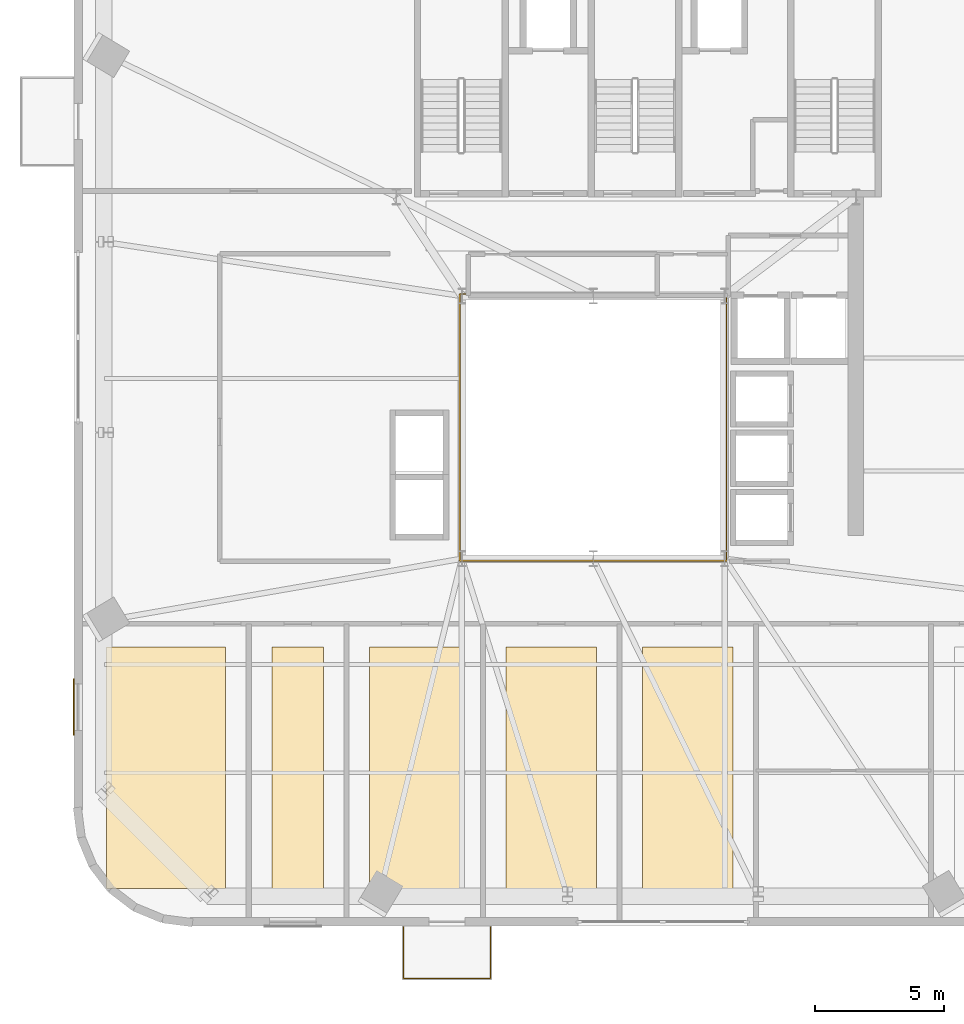
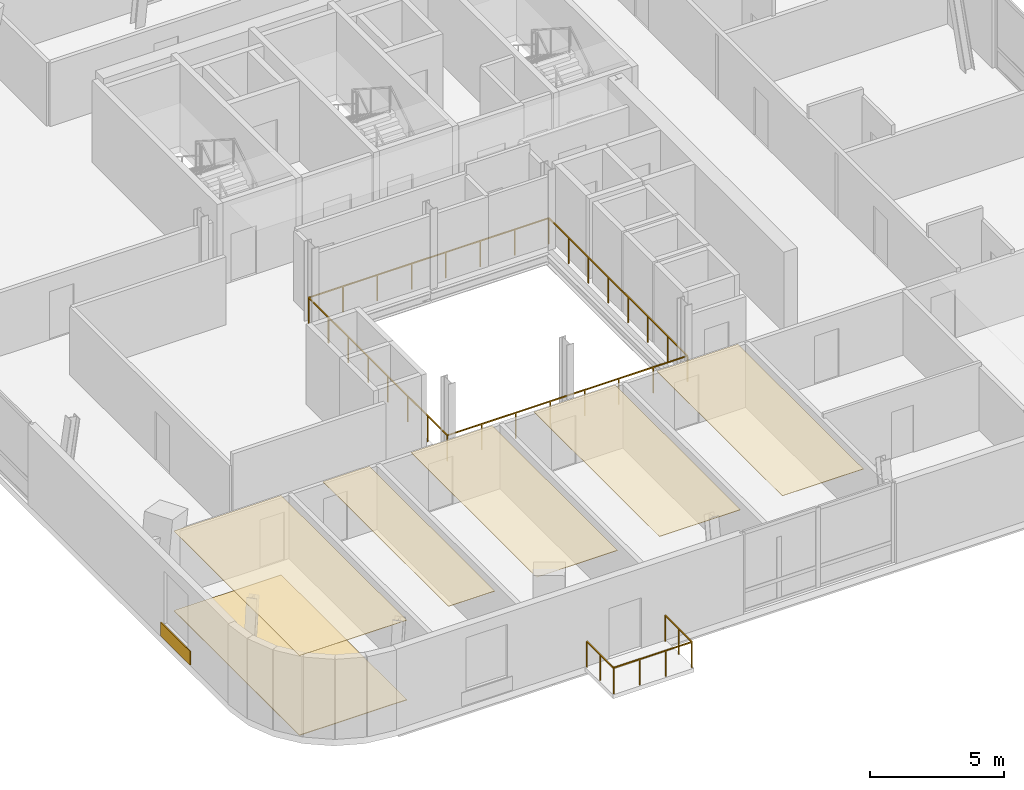
# One storey, part 12 of 15: 7 coverings, 2 railings.
"""IFC4 building model written with IfcOpenShell, lengths in metres."""

from ifc_helpers import new_model, si_unit, direction, frame, origin, origin_2d, place, context, subcontext, project, spatial, polyline, rectangle, outline, extrude, source, transform, mapped, material, layer, layer_set, type_object, element, save


model = new_model("IFC4")

# Units and contexts
model_context = context("Model", 3, precision=1e-05, world=origin(), true_north=direction((0.0, 1.0)))
body_context = subcontext(model_context, "Body", "Model", "MODEL_VIEW")
ifc_project = project(units=[si_unit("LENGTHUNIT", "METRE"), si_unit("AREAUNIT", "SQUARE_METRE"), si_unit("VOLUMEUNIT", "CUBIC_METRE"), si_unit("PLANEANGLEUNIT", "RADIAN"), si_unit("MASSUNIT", "GRAM", prefix="KILO")], contexts=[model_context])

# Site, building, storey
site_placement = place(None, origin())
site = spatial("IfcSite", under=ifc_project, at=site_placement, CompositionType="ELEMENT")
building_placement = place(site_placement, origin())
building = spatial("IfcBuilding", under=site, at=building_placement, Name="Vardaveli Station Tower", CompositionType="ELEMENT")
storey_placement = place(building_placement, frame((0.0, 0.0, 258.5)))
storey = spatial("IfcBuildingStorey", under=building, at=storey_placement, Name="L66", CompositionType="ELEMENT", Elevation=258.5)

# Coverings
ifc_material_1 = material(Name="Perforated acoustic mineral ceiling")
ifc_layer_1 = layer(ifc_material_1, 0.02001953125, Name="Perforated acoustic mineral ceiling")
ifc_layer_set_1 = layer_set([ifc_layer_1], Name="Perforated acoustic mineral ceiling")
covering_type_1 = type_object("IfcCoveringType", Name="COV-CEIL-AC20", PredefinedType="CEILING", material=ifc_layer_set_1)
covering_1_placement = place(storey_placement, frame((0.0, 0.0, 3.635009765625)))
element("IfcCovering", 1, at=covering_1_placement, inside=storey, type_object=covering_type_1, Name="CEIL-L66-1", PredefinedType="CEILING", context=body_context, shape_type="SweptSolid", body=[
    extrude(outline(polyline([(17.389892578125, 3.7900390625), (22.021484375, 3.7900390625), (22.021484375, 13.169921875), (17.389892578125, 13.169921875), (17.389892578125, 3.7900390625)])), origin(), (0.0, 0.0, 1.0), 0.02001953125),
])
covering_2_placement = place(storey_placement, frame((0.0, 0.0, 3.635009765625)))
element("IfcCovering", 2, at=covering_2_placement, inside=storey, type_object=covering_type_1, Name="CEIL-L66-2", PredefinedType="CEILING", context=body_context, shape_type="SweptSolid", body=[
    extrude(outline(polyline([(23.8212890625, 3.7900390625), (25.821044921875, 3.7900390625), (25.821044921875, 13.169921875), (23.8212890625, 13.169921875), (23.8212890625, 3.7900390625)])), origin(), (0.0, 0.0, 1.0), 0.02001953125),
])
covering_3_placement = place(storey_placement, frame((0.0, 0.0, 3.635009765625)))
element("IfcCovering", 3, at=covering_3_placement, inside=storey, type_object=covering_type_1, Name="CEIL-L66-3", PredefinedType="CEILING", context=body_context, shape_type="SweptSolid", body=[
    extrude(outline(polyline([(27.62109375, 3.7900390625), (31.120849609375, 3.7900390625), (31.120849609375, 13.169921875), (27.62109375, 13.169921875), (27.62109375, 3.7900390625)])), origin(), (0.0, 0.0, 1.0), 0.02001953125),
])
covering_4_placement = place(storey_placement, frame((0.0, 0.0, 3.635009765625)))
element("IfcCovering", 4, at=covering_4_placement, inside=storey, type_object=covering_type_1, Name="CEIL-L66-4", PredefinedType="CEILING", context=body_context, shape_type="SweptSolid", body=[
    extrude(outline(polyline([(32.9208984375, 3.7900390625), (36.420654296875, 3.7900390625), (36.420654296875, 13.169921875), (32.9208984375, 13.169921875), (32.9208984375, 3.7900390625)])), origin(), (0.0, 0.0, 1.0), 0.02001953125),
])
covering_5_placement = place(storey_placement, frame((0.0, 0.0, 3.635009765625)))
element("IfcCovering", 5, at=covering_5_placement, inside=storey, type_object=covering_type_1, Name="CEIL-L66-5", PredefinedType="CEILING", context=body_context, shape_type="SweptSolid", body=[
    extrude(outline(polyline([(38.220703125, 3.7900390625), (41.72021484375, 3.7900390625), (41.72021484375, 13.169921875), (38.220703125, 13.169921875), (38.220703125, 3.7900390625)])), origin(), (0.0, 0.0, 1.0), 0.02001953125),
])
ifc_material_2 = material(Name="Honed Caucasian basalt and travertine flooring", Category="masonry")
ifc_layer_2 = layer(ifc_material_2, 0.030029296875, Name="Honed Caucasian basalt and travertine flooring")
ifc_layer_set_2 = layer_set([ifc_layer_2], Name="Honed Caucasian basalt and travertine flooring")
covering_type_2 = type_object("IfcCoveringType", Name="COV-FLOOR-ST30", PredefinedType="FLOORING", material=ifc_layer_set_2)
covering_6_placement = place(storey_placement, origin())
element("IfcCovering", 6, at=covering_6_placement, inside=storey, type_object=covering_type_2, Name="FLR-L66-1", PredefinedType="FLOORING", context=body_context, shape_type="SweptSolid", body=[
    extrude(outline(polyline([(17.389892578125, 3.7900390625), (22.021484375, 3.7900390625), (22.021484375, 13.169921875), (17.389892578125, 13.169921875), (17.389892578125, 3.7900390625)])), origin(), (0.0, 0.0, 1.0), 0.030029296875),
])
ifc_material_3 = material(Name="Ventilated honed travertine stone cladding", Category="masonry")
ifc_layer_3 = layer(ifc_material_3, 0.044921875, Name="Ventilated honed travertine stone cladding")
ifc_layer_set_3 = layer_set([ifc_layer_3], Name="Ventilated honed travertine stone cladding")
covering_type_3 = type_object("IfcCoveringType", Name="COV-CLAD-TR45", PredefinedType="CLADDING", material=ifc_layer_set_3)
shared_shape_1 = source(origin(), body_context, "Body", "SweptSolid", [
    extrude(rectangle(XDim=2.199951171875, YDim=0.044921875, at=origin_2d()), origin(), (0.0, 0.0, 1.0), 0.6201171875),
])
covering_7_placement = place(storey_placement, frame((16.12548828125, 10.8369140625, 0.06982421875), z_axis=(0.0, 0.0, 1.0), x_axis=(0.0, 1.0, 0.0)))
element("IfcCovering", 7, at=covering_7_placement, inside=storey, type_object=covering_type_3, Name="CLD-TR-L66-W", PredefinedType="CLADDING", context=body_context, shape_type="MappedRepresentation", body=[
    mapped(shared_shape_1, transform((0.0, 0.0, 0.0), scale=1.0)),
])

# Railings
ifc_material_4 = material(Name="Laminated glass and stainless steel balustrade", Category="steel")
railing_type = type_object("IfcRailingType", Name="RL-BAL-1200", PredefinedType="BALUSTRADE", material=ifc_material_4)
shared_shape_2 = source(origin(), body_context, "Body", "SweptSolid", [
    extrude(rectangle(XDim=0.048095703125, YDim=0.048095703125, at=origin_2d()), frame((0.0, 0.0, 1.17578125), z_axis=(0.0, -1.0, 0.0), x_axis=(1.0, 0.0, 0.0)), (0.0, 0.0, 1.0), 2.0),
    extrude(rectangle(XDim=0.048095703125, YDim=0.048095703125, at=origin_2d()), frame((0.0, -2.0, 1.17578125), z_axis=(1.0, 0.0, 0.0), x_axis=(0.0, 1.0, 0.0)), (0.0, 0.0, 1.0), 3.380126953125),
    extrude(rectangle(XDim=0.048095703125, YDim=0.048095703125, at=origin_2d()), frame((3.380126953125, -2.0, 1.17578125), z_axis=(0.0, 1.0, 0.0), x_axis=(-1.0, 0.0, 0.0)), (0.0, 0.0, 1.0), 2.0),
    extrude(rectangle(XDim=0.0419921875, YDim=0.0419921875, at=origin_2d()), origin(), (0.0, 0.0, 1.0), 1.15185546875),
    extrude(rectangle(XDim=0.0419921875, YDim=0.0419921875, at=origin_2d()), frame((0.0, -1.0, 0.0)), (0.0, 0.0, 1.0), 1.15185546875),
    extrude(rectangle(XDim=0.0419921875, YDim=0.0419921875, at=origin_2d()), frame((0.0, -2.0, 0.0)), (0.0, 0.0, 1.0), 1.15185546875),
    extrude(rectangle(XDim=0.0419921875, YDim=0.0419921875, at=origin_2d()), frame((1.126708984375, -2.0, 0.0)), (0.0, 0.0, 1.0), 1.15185546875),
    extrude(rectangle(XDim=0.0419921875, YDim=0.0419921875, at=origin_2d()), frame((2.25341796875, -2.0, 0.0)), (0.0, 0.0, 1.0), 1.15185546875),
    extrude(rectangle(XDim=0.0419921875, YDim=0.0419921875, at=origin_2d()), frame((3.380126953125, -2.0, 0.0)), (0.0, 0.0, 1.0), 1.15185546875),
    extrude(rectangle(XDim=0.0419921875, YDim=0.0419921875, at=origin_2d()), frame((3.380126953125, -1.0, 0.0)), (0.0, 0.0, 1.0), 1.15185546875),
    extrude(rectangle(XDim=0.0419921875, YDim=0.0419921875, at=origin_2d()), frame((3.380126953125, 0.0, 0.0)), (0.0, 0.0, 1.0), 1.15185546875),
])
railing_1_placement = place(storey_placement, frame((28.927734375, 2.300048828125, 0.0)))
element("IfcRailing", 8, at=railing_1_placement, inside=storey, type_object=railing_type, Name="RL-LOG-L66-01", PredefinedType="BALUSTRADE", context=body_context, shape_type="MappedRepresentation", body=[
    mapped(shared_shape_2, transform((0.0, 0.0, 0.0), scale=1.0)),
])
shared_shape_3 = source(origin(), body_context, "Body", "SweptSolid", [
    extrude(rectangle(XDim=0.048095703125, YDim=0.048095703125, at=origin_2d()), frame((0.0, 0.0, 1.17578125), z_axis=(1.0, 0.0, 0.0), x_axis=(0.0, 1.0, 0.0)), (0.0, 0.0, 1.0), 10.35986328125),
    extrude(rectangle(XDim=0.048095703125, YDim=0.048095703125, at=origin_2d()), frame((10.35986328125, 0.0, 1.17578125), z_axis=(0.0, 1.0, 0.0), x_axis=(-1.0, 0.0, 0.0)), (0.0, 0.0, 1.0), 10.35986328125),
    extrude(rectangle(XDim=0.048095703125, YDim=0.048095703125, at=origin_2d()), frame((10.35986328125, 10.35986328125, 1.17578125), z_axis=(-1.0, 0.0, 0.0), x_axis=(0.0, -1.0, 0.0)), (0.0, 0.0, 1.0), 10.35986328125),
    extrude(rectangle(XDim=0.048095703125, YDim=0.048095703125, at=origin_2d()), frame((0.0, 10.35986328125, 1.17578125), z_axis=(0.0, -1.0, 0.0), x_axis=(1.0, 0.0, 0.0)), (0.0, 0.0, 1.0), 10.35986328125),
    extrude(rectangle(XDim=0.0419921875, YDim=0.0419921875, at=origin_2d()), origin(), (0.0, 0.0, 1.0), 1.15185546875),
    extrude(rectangle(XDim=0.0419921875, YDim=0.0419921875, at=origin_2d()), frame((1.47998046875, 0.0, 0.0)), (0.0, 0.0, 1.0), 1.15185546875),
    extrude(rectangle(XDim=0.0419921875, YDim=0.0419921875, at=origin_2d()), frame((2.9599609375, 0.0, 0.0)), (0.0, 0.0, 1.0), 1.15185546875),
    extrude(rectangle(XDim=0.0419921875, YDim=0.0419921875, at=origin_2d()), frame((4.43994140625, 0.0, 0.0)), (0.0, 0.0, 1.0), 1.15185546875),
    extrude(rectangle(XDim=0.0419921875, YDim=0.0419921875, at=origin_2d()), frame((5.919921875, 0.0, 0.0)), (0.0, 0.0, 1.0), 1.15185546875),
    extrude(rectangle(XDim=0.0419921875, YDim=0.0419921875, at=origin_2d()), frame((7.39990234375, 0.0, 0.0)), (0.0, 0.0, 1.0), 1.15185546875),
    extrude(rectangle(XDim=0.0419921875, YDim=0.0419921875, at=origin_2d()), frame((8.8798828125, 0.0, 0.0)), (0.0, 0.0, 1.0), 1.15185546875),
    extrude(rectangle(XDim=0.0419921875, YDim=0.0419921875, at=origin_2d()), frame((10.35986328125, 0.0, 0.0)), (0.0, 0.0, 1.0), 1.15185546875),
    extrude(rectangle(XDim=0.0419921875, YDim=0.0419921875, at=origin_2d()), frame((10.35986328125, 1.47998046875, 0.0)), (0.0, 0.0, 1.0), 1.15185546875),
    extrude(rectangle(XDim=0.0419921875, YDim=0.0419921875, at=origin_2d()), frame((10.35986328125, 2.9599609375, 0.0)), (0.0, 0.0, 1.0), 1.15185546875),
    extrude(rectangle(XDim=0.0419921875, YDim=0.0419921875, at=origin_2d()), frame((10.35986328125, 4.43994140625, 0.0)), (0.0, 0.0, 1.0), 1.15185546875),
    extrude(rectangle(XDim=0.0419921875, YDim=0.0419921875, at=origin_2d()), frame((10.35986328125, 5.919921875, 0.0)), (0.0, 0.0, 1.0), 1.15185546875),
    extrude(rectangle(XDim=0.0419921875, YDim=0.0419921875, at=origin_2d()), frame((10.35986328125, 7.39990234375, 0.0)), (0.0, 0.0, 1.0), 1.15185546875),
    extrude(rectangle(XDim=0.0419921875, YDim=0.0419921875, at=origin_2d()), frame((10.35986328125, 8.8798828125, 0.0)), (0.0, 0.0, 1.0), 1.15185546875),
    extrude(rectangle(XDim=0.0419921875, YDim=0.0419921875, at=origin_2d()), frame((10.35986328125, 10.35986328125, 0.0)), (0.0, 0.0, 1.0), 1.15185546875),
    extrude(rectangle(XDim=0.0419921875, YDim=0.0419921875, at=origin_2d()), frame((8.8798828125, 10.35986328125, 0.0)), (0.0, 0.0, 1.0), 1.15185546875),
    extrude(rectangle(XDim=0.0419921875, YDim=0.0419921875, at=origin_2d()), frame((7.39990234375, 10.35986328125, 0.0)), (0.0, 0.0, 1.0), 1.15185546875),
    extrude(rectangle(XDim=0.0419921875, YDim=0.0419921875, at=origin_2d()), frame((5.919921875, 10.35986328125, 0.0)), (0.0, 0.0, 1.0), 1.15185546875),
    extrude(rectangle(XDim=0.0419921875, YDim=0.0419921875, at=origin_2d()), frame((4.43994140625, 10.35986328125, 0.0)), (0.0, 0.0, 1.0), 1.15185546875),
    extrude(rectangle(XDim=0.0419921875, YDim=0.0419921875, at=origin_2d()), frame((2.9599609375, 10.35986328125, 0.0)), (0.0, 0.0, 1.0), 1.15185546875),
    extrude(rectangle(XDim=0.0419921875, YDim=0.0419921875, at=origin_2d()), frame((1.47998046875, 10.35986328125, 0.0)), (0.0, 0.0, 1.0), 1.15185546875),
    extrude(rectangle(XDim=0.0419921875, YDim=0.0419921875, at=origin_2d()), frame((0.0, 10.35986328125, 0.0)), (0.0, 0.0, 1.0), 1.15185546875),
    extrude(rectangle(XDim=0.0419921875, YDim=0.0419921875, at=origin_2d()), frame((0.0, 8.8798828125, 0.0)), (0.0, 0.0, 1.0), 1.15185546875),
    extrude(rectangle(XDim=0.0419921875, YDim=0.0419921875, at=origin_2d()), frame((0.0, 7.39990234375, 0.0)), (0.0, 0.0, 1.0), 1.15185546875),
    extrude(rectangle(XDim=0.0419921875, YDim=0.0419921875, at=origin_2d()), frame((0.0, 5.919921875, 0.0)), (0.0, 0.0, 1.0), 1.15185546875),
    extrude(rectangle(XDim=0.0419921875, YDim=0.0419921875, at=origin_2d()), frame((0.0, 4.43994140625, 0.0)), (0.0, 0.0, 1.0), 1.15185546875),
    extrude(rectangle(XDim=0.0419921875, YDim=0.0419921875, at=origin_2d()), frame((0.0, 2.9599609375, 0.0)), (0.0, 0.0, 1.0), 1.15185546875),
    extrude(rectangle(XDim=0.0419921875, YDim=0.0419921875, at=origin_2d()), frame((0.0, 1.47998046875, 0.0)), (0.0, 0.0, 1.0), 1.15185546875),
])
railing_2_placement = place(storey_placement, frame((31.1201171875, 16.52001953125, 0.0)))
element("IfcRailing", 9, at=railing_2_placement, inside=storey, type_object=railing_type, Name="RL-ATR-L66", PredefinedType="BALUSTRADE", context=body_context, shape_type="MappedRepresentation", body=[
    mapped(shared_shape_3, transform((0.0, 0.0, 0.0), scale=1.0)),
])

save(model, "model.ifc")
